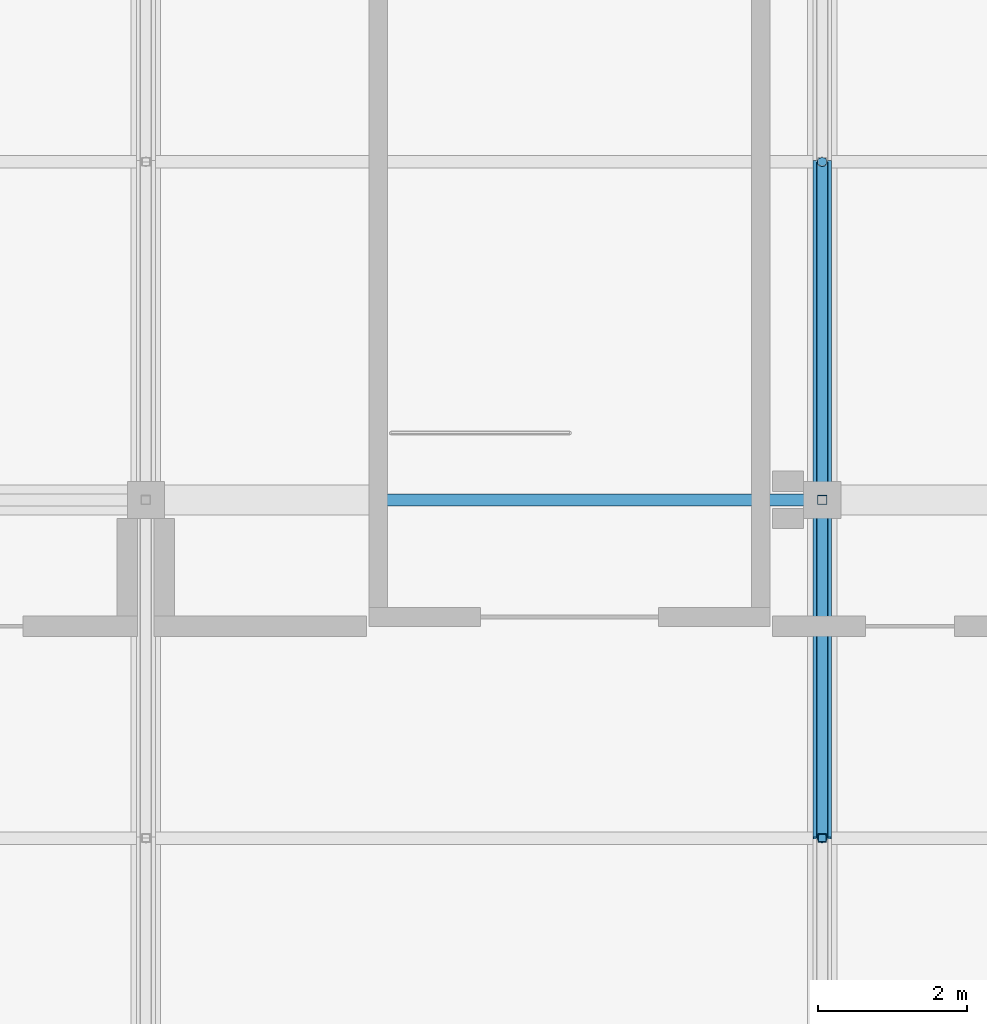
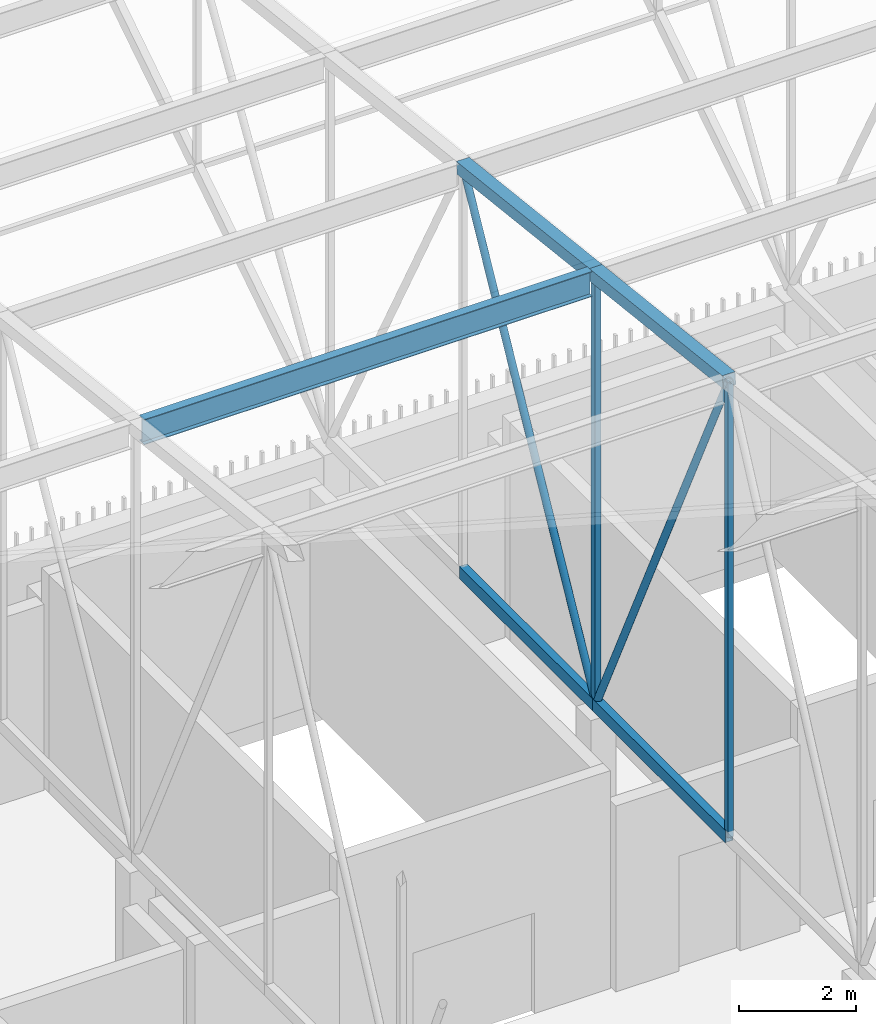
# One storey, part 318 of 500: 9 members.
"""IFC4 building model written with IfcOpenShell, lengths in metres."""

from ifc_helpers import new_model, si_unit, direction, frame, origin, origin_2d, place, context, subcontext, project, spatial, hollow_rectangle, hollow_circle, i_section, extrude, material, material_profile, profile_set, type_object, element, save


model = new_model("IFC4")

# Units and contexts
model_context = context("Model", 3, precision=1e-05, world=origin(), true_north=direction((0.0, 1.0)))
body_context = subcontext(model_context, "Body", "Model", "MODEL_VIEW")
ifc_project = project(units=[si_unit("LENGTHUNIT", "METRE"), si_unit("AREAUNIT", "SQUARE_METRE"), si_unit("VOLUMEUNIT", "CUBIC_METRE"), si_unit("PLANEANGLEUNIT", "RADIAN"), si_unit("MASSUNIT", "GRAM", prefix="KILO")], contexts=[model_context])

# Site, building, storey
site_placement = place(None, origin())
site = spatial("IfcSite", under=ifc_project, at=site_placement, CompositionType="ELEMENT")
building_placement = place(site_placement, origin())
building = spatial("IfcBuilding", under=site, at=building_placement, Name="Shirokan Park Arena", CompositionType="ELEMENT")
storey_placement = place(building_placement, frame((0.0, 0.0, 29.1201171875)))
storey = spatial("IfcBuildingStorey", under=building, at=storey_placement, Name="L06", CompositionType="ELEMENT", Elevation=29.1201171875)

# Members
ifc_material_1 = material(Name="Steel ASTM A500 Grade C", Category="steel")
ifc_material_profile_1 = material_profile(ifc_material_1, hollow_rectangle(XDim=0.152099609375, YDim=0.25390625, WallThickness=0.009521484375, at=origin_2d()), Name="HSS254X152.4X9.5")
ifc_profile_set_1 = profile_set([ifc_material_profile_1], Name="Steel ASTM A500 Grade C")
member_type_1 = type_object("IfcMemberType", Name="Bottom chord HSS254X152.4X9.5", PredefinedType="CHORD", material=ifc_profile_set_1)
member_1_placement = place(storey_placement, frame((118.300048828125, 95.550048828125, 4.677001953125), z_axis=(0.0, 1.0, 0.0), x_axis=(-1.0, 0.0, 0.0)))
element("IfcMember", 1, at=member_1_placement, inside=storey, type_object=member_type_1, Name="Truss T14 bottom chord 24", PredefinedType="CHORD", context=body_context, shape_type="SweptSolid", body=[
    extrude(hollow_rectangle(XDim=0.152099609375, YDim=0.25390625, WallThickness=0.009521484375, at=origin_2d()), origin(), (0.0, 0.0, 1.0), 4.550048828125),
])
member_2_placement = place(storey_placement, frame((118.300048828125, 100.10009765625, 4.677001953125), z_axis=(0.0, 1.0, 0.0), x_axis=(-1.0, 0.0, 0.0)))
element("IfcMember", 2, at=member_2_placement, inside=storey, type_object=member_type_1, Name="Truss T14 bottom chord 25", PredefinedType="CHORD", context=body_context, shape_type="SweptSolid", body=[
    extrude(hollow_rectangle(XDim=0.152099609375, YDim=0.25390625, WallThickness=0.009521484375, at=origin_2d()), origin(), (0.0, 0.0, 1.0), 4.5498046875),
])
ifc_material_2 = material(Name="Steel ASTM A992", Category="steel")
ifc_material_profile_2 = material_profile(ifc_material_2, i_section(OverallWidth=0.166015625, OverallDepth=0.528076171875, WebThickness=0.009765625, FlangeThickness=0.013671875, at=origin_2d()), Name="W530X74")
ifc_profile_set_2 = profile_set([ifc_material_profile_2], Name="Steel ASTM A992")
member_type_2 = type_object("IfcMemberType", Name="Purlin W530X74", PredefinedType="PURLIN", material=ifc_profile_set_2)
member_3_placement = place(storey_placement, frame((109.326904296875, 100.10009765625, 13.52587890625), z_axis=(1.0, 0.0, 0.0), x_axis=(0.0, 1.0, 0.0)))
element("IfcMember", 3, at=member_3_placement, inside=storey, type_object=member_type_2, Name="Purlin 25 bay 13", PredefinedType="PURLIN", context=body_context, shape_type="SweptSolid", body=[
    extrude(i_section(OverallWidth=0.166015625, OverallDepth=0.528076171875, WebThickness=0.009765625, FlangeThickness=0.013671875, at=origin_2d()), origin(), (0.0, 0.0, 1.0), 8.84619140625),
])
ifc_material_profile_3 = material_profile(ifc_material_1, hollow_rectangle(XDim=0.25390625, YDim=0.25390625, WallThickness=0.009521484375, at=origin_2d()), Name="HSS254X254X9.5")
ifc_profile_set_3 = profile_set([ifc_material_profile_3], Name="Steel ASTM A500 Grade C")
member_type_3 = type_object("IfcMemberType", Name="Top chord HSS254X254X9.5", PredefinedType="CHORD", material=ifc_profile_set_3)
member_4_placement = place(storey_placement, frame((118.300048828125, 95.550048828125, 14.182861328125), z_axis=(0.0, 0.993532328996, -0.113549598152), x_axis=(-1.0, 0.0, 0.0)))
element("IfcMember", 4, at=member_4_placement, inside=storey, type_object=member_type_3, Name="Truss T14 top chord 24", PredefinedType="CHORD", context=body_context, shape_type="SweptSolid", body=[
    extrude(hollow_rectangle(XDim=0.25390625, YDim=0.25390625, WallThickness=0.009521484375, at=origin_2d()), origin(), (0.0, 0.0, 1.0), 4.57958984375),
])
member_5_placement = place(storey_placement, frame((118.300048828125, 100.10009765625, 13.662841796875), z_axis=(0.0, 0.993531641592, -0.11355561261), x_axis=(-1.0, 0.0, 0.0)))
element("IfcMember", 5, at=member_5_placement, inside=storey, type_object=member_type_3, Name="Truss T14 top chord 25", PredefinedType="CHORD", context=body_context, shape_type="SweptSolid", body=[
    extrude(hollow_rectangle(XDim=0.25390625, YDim=0.25390625, WallThickness=0.009521484375, at=origin_2d()), origin(), (0.0, 0.0, 1.0), 4.579345703125),
])
ifc_material_profile_4 = material_profile(ifc_material_1, hollow_circle(Radius=0.070556640625, WallThickness=0.006591796875, at=origin_2d()), Name="HSS141.3X6.6")
ifc_profile_set_4 = profile_set([ifc_material_profile_4], Name="Steel ASTM A500 Grade C")
member_type_4 = type_object("IfcMemberType", Name="Truss diagonal HSS141.3X6.6", PredefinedType="BRACE", material=ifc_profile_set_4)
member_6_placement = place(storey_placement, frame((118.300048828125, 95.550048828125, 14.182861328125), z_axis=(0.0, 0.431746476626, -0.901994999942), x_axis=(-1.0, 0.0, 0.0)))
element("IfcMember", 6, at=member_6_placement, inside=storey, type_object=member_type_4, Name="Truss T14 diagonal 24", PredefinedType="BRACE", context=body_context, shape_type="SweptSolid", body=[
    extrude(hollow_circle(Radius=0.070556640625, WallThickness=0.006591796875, at=origin_2d()), origin(), (0.0, 0.0, 1.0), 10.538818359375),
])
member_7_placement = place(storey_placement, frame((118.300048828125, 100.10009765625, 4.677001953125), z_axis=(0.0, 0.47339679801, 0.880849289966), x_axis=(-1.0, 0.0, 0.0)))
element("IfcMember", 7, at=member_7_placement, inside=storey, type_object=member_type_4, Name="Truss T14 diagonal 25", PredefinedType="BRACE", context=body_context, shape_type="SweptSolid", body=[
    extrude(hollow_circle(Radius=0.070556640625, WallThickness=0.006591796875, at=origin_2d()), origin(), (0.0, 0.0, 1.0), 9.611083984375),
])
ifc_material_profile_5 = material_profile(ifc_material_1, hollow_rectangle(XDim=0.114013671875, YDim=0.114013671875, WallThickness=0.00634765625, at=origin_2d()), Name="HSS114.3X114.3X6.4")
ifc_profile_set_5 = profile_set([ifc_material_profile_5], Name="Steel ASTM A500 Grade C")
member_type_5 = type_object("IfcMemberType", Name="Truss post HSS114.3X114.3X6.4", PredefinedType="POST", material=ifc_profile_set_5)
member_8_placement = place(storey_placement, frame((118.300048828125, 95.550048828125, 4.677001953125), z_axis=(0.0, 0.0, 1.0), x_axis=(1.0, 0.0, 0.0)))
element("IfcMember", 8, at=member_8_placement, inside=storey, type_object=member_type_5, Name="Truss T14 post 24", PredefinedType="POST", context=body_context, shape_type="SweptSolid", body=[
    extrude(hollow_rectangle(XDim=0.114013671875, YDim=0.114013671875, WallThickness=0.00634765625, at=origin_2d()), origin(), (0.0, 0.0, 1.0), 9.505859375),
])
ifc_material_profile_6 = material_profile(ifc_material_1, hollow_rectangle(XDim=0.126953125, YDim=0.126953125, WallThickness=0.008056640625, at=origin_2d()), Name="HSS127X127X7.9")
ifc_profile_set_6 = profile_set([ifc_material_profile_6], Name="Steel ASTM A500 Grade C")
member_type_6 = type_object("IfcMemberType", Name="Truss post HSS127X127X7.9", PredefinedType="POST", material=ifc_profile_set_6)
member_9_placement = place(storey_placement, frame((118.300048828125, 100.10009765625, 4.677001953125), z_axis=(0.0, 0.0, 1.0), x_axis=(1.0, 0.0, 0.0)))
element("IfcMember", 9, at=member_9_placement, inside=storey, type_object=member_type_6, Name="Truss T14 post 25", PredefinedType="POST", context=body_context, shape_type="SweptSolid", body=[
    extrude(hollow_rectangle(XDim=0.126953125, YDim=0.126953125, WallThickness=0.008056640625, at=origin_2d()), origin(), (0.0, 0.0, 1.0), 8.98583984375),
])

save(model, "model.ifc")
